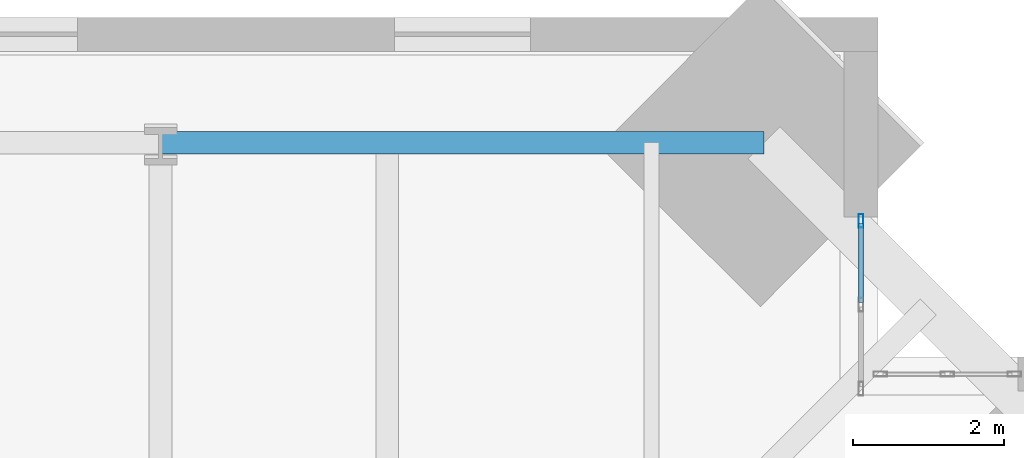
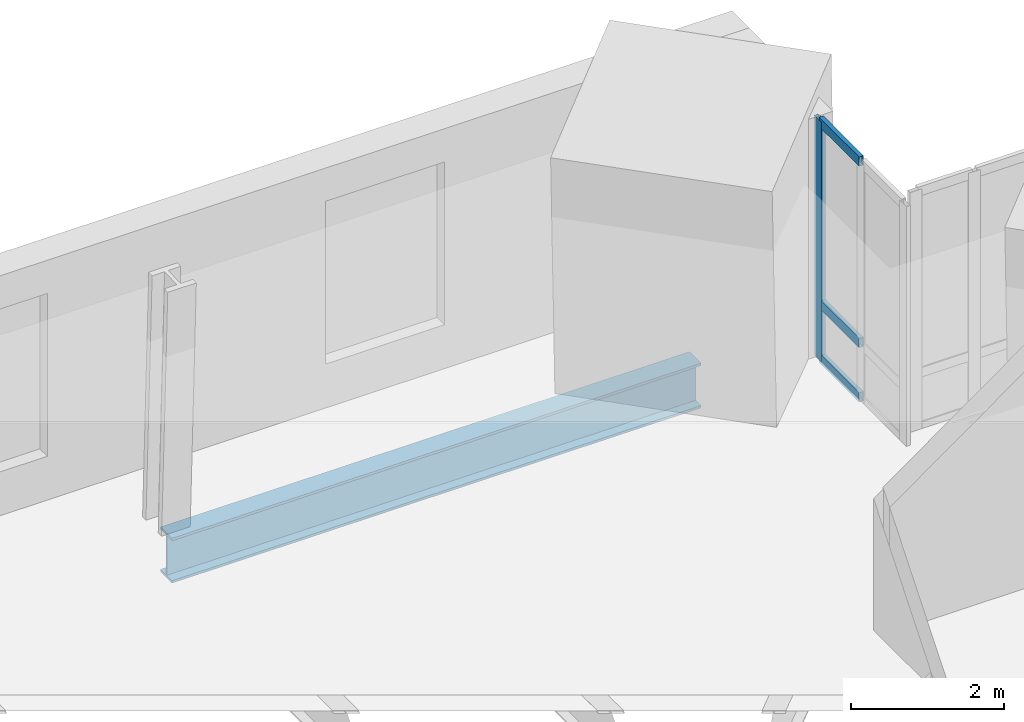
# One storey, part 9 of 16: 4 members, 1 beam, 1 element without a shape of its own.
"""IFC4 building model written with IfcOpenShell, lengths in metres."""

from ifc_helpers import new_model, si_unit, direction, frame, origin, origin_2d, place, context, subcontext, project, spatial, hollow_rectangle, i_section, extrude, material, material_profile, profile_set, type_object, element, aggregate, save


model = new_model("IFC4")

# Units and contexts
model_context = context("Model", 3, precision=1e-05, world=origin(), true_north=direction((0.0, 1.0)))
body_context = subcontext(model_context, "Body", "Model", "MODEL_VIEW")
ifc_project = project(units=[si_unit("LENGTHUNIT", "METRE"), si_unit("AREAUNIT", "SQUARE_METRE"), si_unit("VOLUMEUNIT", "CUBIC_METRE"), si_unit("PLANEANGLEUNIT", "RADIAN"), si_unit("MASSUNIT", "GRAM", prefix="KILO")], contexts=[model_context])

# Site, building, storey
site_placement = place(None, origin())
site = spatial("IfcSite", under=ifc_project, at=site_placement, CompositionType="ELEMENT")
building_placement = place(site_placement, origin())
building = spatial("IfcBuilding", under=site, at=building_placement, Name="Peilmerk Tower", CompositionType="ELEMENT")
storey_placement = place(building_placement, frame((0.0, 0.0, 261.800048828125)))
storey = spatial("IfcBuildingStorey", under=building, at=storey_placement, Name="L58", CompositionType="ELEMENT", Elevation=261.800048828125)

# Beam
ifc_material_1 = material(Name="Steel S355", Category="steel")
ifc_material_profile_1 = material_profile(ifc_material_1, i_section(OverallWidth=0.303955078125, OverallDepth=0.716064453125, WebThickness=0.02099609375, FlangeThickness=0.0400390625, at=origin_2d()), Name="HEM 700")
ifc_profile_set_1 = profile_set([ifc_material_profile_1], Name="Steel S355")
beam_type = type_object("IfcBeamType", Name="B30 HEM 700 edge beam", PredefinedType="SPANDREL", material=ifc_profile_set_1)
beam_placement = place(storey_placement, frame((15.990234375, 20.34033203125, -0.528076171875), z_axis=(-1.0, 0.0, 0.0), x_axis=(0.0, -1.0, 0.0)))
element("IfcBeam", 1, at=beam_placement, inside=storey, type_object=beam_type, Name="Edge beam L58", PredefinedType="SPANDREL", context=body_context, shape_type="SweptSolid", body=[
    extrude(i_section(OverallWidth=0.303955078125, OverallDepth=0.716064453125, WebThickness=0.02099609375, FlangeThickness=0.0400390625, at=origin_2d()), origin(), (0.0, 0.0, 1.0), 7.990234375),
])

# Curtain wall, members
ifc_material_2 = material(Name="Aluminium stick curtain wall", Category="aluminium")
curtain_wall_type = type_object("IfcCurtainWallType", Name="CW4 stick curtain wall, 2250 module", PredefinedType="NOTDEFINED", material=ifc_material_2)
curtain_wall_placement = place(storey_placement, origin())
curtain_wall = element("IfcCurtainWall", 2, at=curtain_wall_placement, inside=storey, type_object=curtain_wall_type, Name="Curtain wall CW4 NEA L58", PredefinedType="NOTDEFINED")
ifc_material_3 = material(Name="Aluminium EN AW-6063 T6", Category="aluminium")
ifc_material_profile_2 = material_profile(ifc_material_3, hollow_rectangle(XDim=0.06494140625, YDim=0.179931640625, WallThickness=0.0029296875, at=origin_2d()), Name="AL 180x65x3")
ifc_profile_set_2 = profile_set([ifc_material_profile_2], Name="Aluminium EN AW-6063 T6")
member_type_1 = type_object("IfcMemberType", Name="CW4-M AL 180x65x3 mullion", PredefinedType="MULLION", material=ifc_profile_set_2)
member_1_placement = place(storey_placement, frame((17.27490234375, 19.30615234375, 0.0), z_axis=(0.0, 0.0, 1.0), x_axis=(-1.0, 0.0, 0.0)))
member_1 = element("IfcMember", 3, at=member_1_placement, type_object=member_type_1, Name="CW4 mullion 3", PredefinedType="MULLION", context=body_context, shape_type="SweptSolid", body=[
    extrude(hollow_rectangle(XDim=0.06494140625, YDim=0.179931640625, WallThickness=0.0029296875, at=origin_2d()), origin(), (0.0, 0.0, 1.0), 3.829833984375),
])
ifc_material_profile_3 = material_profile(ifc_material_3, hollow_rectangle(XDim=0.06494140625, YDim=0.14990234375, WallThickness=0.0029296875, at=origin_2d()), Name="AL 150x65x3")
ifc_profile_set_3 = profile_set([ifc_material_profile_3], Name="Aluminium EN AW-6063 T6")
member_type_2 = type_object("IfcMemberType", Name="CW4-T AL 150x65x3 transom", PredefinedType="USERDEFINED", material=ifc_profile_set_3)
member_2_placement = place(storey_placement, frame((17.27490234375, 18.226806640625, 0.032470703125), z_axis=(0.0, 1.0, 0.0), x_axis=(-1.0, 0.0, 0.0)))
member_2 = element("IfcMember", 4, at=member_2_placement, type_object=member_type_2, Name="CW4 transom 2.1", ObjectType="TRANSOM", PredefinedType="USERDEFINED", context=body_context, shape_type="SweptSolid", body=[
    extrude(hollow_rectangle(XDim=0.06494140625, YDim=0.14990234375, WallThickness=0.0029296875, at=origin_2d()), origin(), (0.0, 0.0, 1.0), 1.046875),
])
member_3_placement = place(storey_placement, frame((17.27490234375, 18.226806640625, 0.89990234375), z_axis=(0.0, 1.0, 0.0), x_axis=(-1.0, 0.0, 0.0)))
member_3 = element("IfcMember", 5, at=member_3_placement, type_object=member_type_2, Name="CW4 transom 2.2", ObjectType="TRANSOM", PredefinedType="USERDEFINED", context=body_context, shape_type="SweptSolid", body=[
    extrude(hollow_rectangle(XDim=0.06494140625, YDim=0.14990234375, WallThickness=0.0029296875, at=origin_2d()), origin(), (0.0, 0.0, 1.0), 1.046875),
])
member_4_placement = place(storey_placement, frame((17.27490234375, 18.226806640625, 3.79736328125), z_axis=(0.0, 1.0, 0.0), x_axis=(-1.0, 0.0, 0.0)))
member_4 = element("IfcMember", 6, at=member_4_placement, type_object=member_type_2, Name="CW4 transom 2.3", ObjectType="TRANSOM", PredefinedType="USERDEFINED", context=body_context, shape_type="SweptSolid", body=[
    extrude(hollow_rectangle(XDim=0.06494140625, YDim=0.14990234375, WallThickness=0.0029296875, at=origin_2d()), origin(), (0.0, 0.0, 1.0), 1.046875),
])
aggregate(curtain_wall, [member_1, member_2, member_3, member_4])

save(model, "model.ifc")
